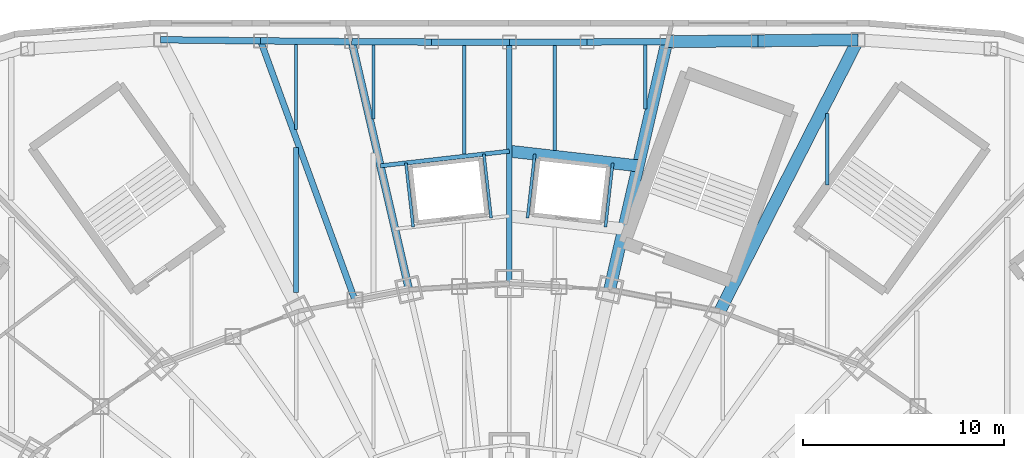
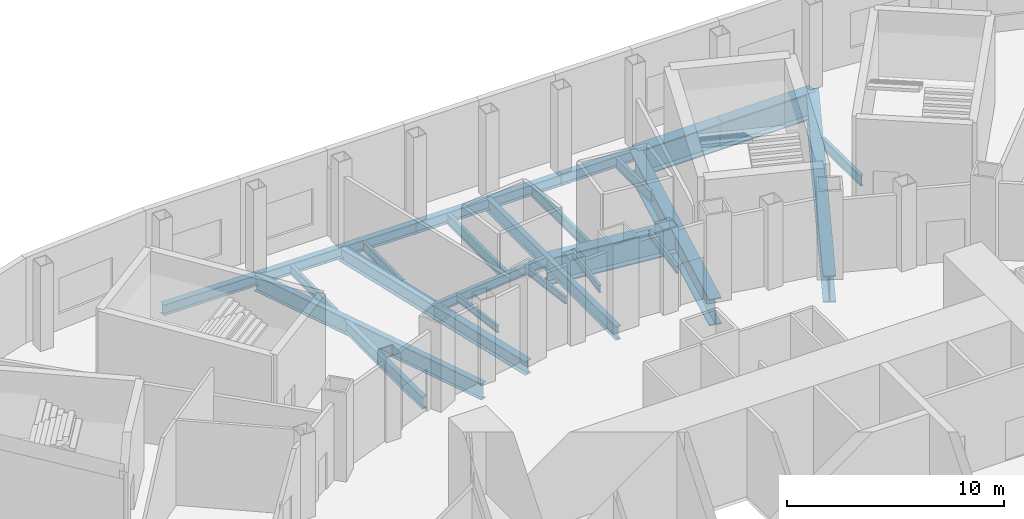
# One storey, part 8 of 73: 26 beams.
"""IFC4 building model written with IfcOpenShell, lengths in metres."""

import ifcopenshell
import ifcopenshell.guid

model = None  # the IFC model being written
_history = None  # IfcOwnerHistory: only IFC2X3 demands one
_inside = {}  # id of a spatial element -> (the spatial element, [elements in it])
_under = {}  # id of a project, library or spatial element -> (it, [spatial elements below it])
_declared = {}  # id of a project -> (the project, [libraries it declares])
_typed = {}  # id of a type object -> (the type object, [elements of that type])
_made_of = {}  # id of a material, layer set ... -> (it, [elements and type objects made of it])


def new_model(schema):
    """Start an empty IFC model of exactly this schema.

    Asked for "IFC4X3", IfcOpenShell would pick the latest addendum, in which some entities
    have other attributes; the version numbers below select the first issue.
    IFC2X3 requires an IfcOwnerHistory on every rooted entity: one is made here for all.
    """
    global model, _history
    if schema == "IFC4X3":
        model = ifcopenshell.file(schema_version=(4, 3, 0, 0))
    else:
        model = ifcopenshell.file(schema=schema)
    _inside.clear()
    _under.clear()
    _declared.clear()
    _typed.clear()
    _made_of.clear()
    _history = None
    if model.schema == "IFC2X3":
        org = make("IfcOrganization", Name="unknown")
        user = make(
            "IfcPersonAndOrganization",
            ThePerson=make("IfcPerson", FamilyName="unknown"),
            TheOrganization=org,
        )
        app = make(
            "IfcApplication",
            ApplicationDeveloper=org,
            Version="unknown",
            ApplicationFullName="unknown",
            ApplicationIdentifier="unknown",
        )
        _history = make(
            "IfcOwnerHistory",
            OwningUser=user,
            OwningApplication=app,
            ChangeAction="ADDED",
            CreationDate=0,
        )
    return model


def make(cls, **values):
    """One entity of the class cls with the attributes given. An attribute that is None is left unset."""
    return model.create_entity(
        cls, **{name: value for name, value in values.items() if value is not None}
    )


def rooted(cls, **values):
    """An entity with a GlobalId (a new one), such as an element, a storey or a relation."""
    return make(cls, GlobalId=ifcopenshell.guid.new(), OwnerHistory=_history, **values)


def si_unit(unit_type, name, prefix=None):
    """IfcSIUnit, for example si_unit("LENGTHUNIT", "METRE", prefix="MILLI")."""
    return make("IfcSIUnit", UnitType=unit_type, Prefix=prefix, Name=name)


def assignment(units):
    """IfcUnitAssignment: the units of a project."""
    return None if units is None else make("IfcUnitAssignment", Units=units)


def point(xyz):
    """IfcCartesianPoint."""
    return None if xyz is None else make("IfcCartesianPoint", Coordinates=xyz)


def direction(xyz):
    """IfcDirection."""
    return None if xyz is None else make("IfcDirection", DirectionRatios=xyz)


def frame(location, z_axis=None, x_axis=None):
    """IfcAxis2Placement3D, a coordinate frame: its origin and axes. An axis left out is left unset."""
    return make(
        "IfcAxis2Placement3D",
        Location=point(location),
        Axis=direction(z_axis),
        RefDirection=direction(x_axis),
    )


def frame_2d(location, x_axis=None):
    """IfcAxis2Placement2D, a coordinate frame in the plane: its origin and x axis."""
    return make(
        "IfcAxis2Placement2D", Location=point(location), RefDirection=direction(x_axis)
    )


def origin():
    """The frame at (0, 0, 0) with its axes left unset."""
    return frame((0.0, 0.0, 0.0))


def origin_2d():
    """The frame at (0, 0) in the plane with its x axis left unset."""
    return frame_2d((0.0, 0.0))


def place(relative_to, where):
    """IfcLocalPlacement: puts the frame where relative to a parent placement (None: the world)."""
    return make(
        "IfcLocalPlacement", PlacementRelTo=relative_to, RelativePlacement=where
    )


def context(
    kind, dimensions, precision=None, world=None, true_north=None, identifier=None
):
    """IfcGeometricRepresentationContext, for example the 3D "Model" context."""
    return make(
        "IfcGeometricRepresentationContext",
        ContextIdentifier=identifier,
        ContextType=kind,
        CoordinateSpaceDimension=dimensions,
        Precision=precision,
        WorldCoordinateSystem=world,
        TrueNorth=true_north,
    )


def subcontext(parent, identifier, kind, view, scale=None):
    """IfcGeometricRepresentationSubContext, for example "Body" below "Model"."""
    return make(
        "IfcGeometricRepresentationSubContext",
        ContextIdentifier=identifier,
        ContextType=kind,
        ParentContext=parent,
        TargetScale=scale,
        TargetView=view,
    )


def project(units=None, contexts=None):
    """IfcProject with its units and contexts."""
    return rooted(
        "IfcProject",
        Name="project",
        RepresentationContexts=contexts,
        UnitsInContext=assignment(units),
    )


def spatial(cls, under=None, at=None, **own):
    """A site, building, storey or space (cls), placed at a placement, below another one or the project."""
    s = rooted(cls, ObjectPlacement=at, **own)
    if under is not None:
        _under.setdefault(under.id(), (under, []))[1].append(s)
    return s


def profile(cls, at=None, kind="AREA", **sizes):
    """A parametric profile (cls). Its sizes go by their IFC names, for example OverallWidth=200.0."""
    return make(cls, ProfileType=kind, Position=at, **sizes)


def i_section(**sizes):
    """IfcIShapeProfileDef."""
    return profile("IfcIShapeProfileDef", **sizes)


def extrude(swept, where, along, depth):
    """IfcExtrudedAreaSolid: the profile swept, set in the frame where, extruded along a direction by depth."""
    return make(
        "IfcExtrudedAreaSolid",
        SweptArea=swept,
        Position=where,
        ExtrudedDirection=direction(along),
        Depth=depth,
    )


def shape(context_of_items, identifier, shape_type, items):
    """IfcShapeRepresentation: the items that make up one representation, for example the "Body"."""
    return make(
        "IfcShapeRepresentation",
        ContextOfItems=context_of_items,
        RepresentationIdentifier=identifier,
        RepresentationType=shape_type,
        Items=items,
    )


def material(Name=None, Category=None):
    """IfcMaterial."""
    return make("IfcMaterial", Name=Name, Category=Category)


def material_profile(
    of_material, cross_section, Name=None, Category=None, Priority=None
):
    """IfcMaterialProfile: a cross section and its material."""
    return make(
        "IfcMaterialProfile",
        Name=Name,
        Material=of_material,
        Profile=cross_section,
        Priority=Priority,
        Category=Category,
    )


def profile_set(profiles, Name=None, composite=None):
    """IfcMaterialProfileSet."""
    return make(
        "IfcMaterialProfileSet",
        Name=Name,
        MaterialProfiles=profiles,
        CompositeProfile=composite,
    )


def made_of(thing, what):
    """Note that an element or type object is made of a material, layer set ...; save() writes the relation."""
    if what is not None:
        _made_of.setdefault(what.id(), (what, []))[1].append(thing)
    return thing


def type_object(cls, material=None, **own):
    """A type object (cls), such as IfcWallType, which elements share."""
    return made_of(rooted(cls, **own), material)


def element(
    cls,
    number,
    at=None,
    inside=None,
    cuts=None,
    type_object=None,
    material=None,
    context=None,
    identifier="Body",
    shape_type=None,
    held_by="IfcProductDefinitionShape",
    body=None,
    shapes=None,
    **own,
):
    """One element of the class cls, such as IfcWall. Its Tag is "e" and its number.

    at: its placement. inside: the storey or other place that contains it. cuts: it is an
    opening in that element (IfcRelVoidsElement). A single representation is given by context,
    identifier, shape_type and body (its items); several are given by shapes. held_by: the class
    of the entity that holds the representations. save() writes the other relations.
    """
    e = rooted(cls, Tag="e%d" % number, ObjectPlacement=at, **own)
    if body is not None:
        shapes = [shape(context, identifier, shape_type, body)]
    if shapes is not None:
        e.Representation = make(held_by, Representations=shapes)
    if inside is not None:
        _inside.setdefault(inside.id(), (inside, []))[1].append(e)
    if cuts is not None:
        rooted(
            "IfcRelVoidsElement", RelatingBuildingElement=cuts, RelatedOpeningElement=e
        )
    if type_object is not None:
        _typed.setdefault(type_object.id(), (type_object, []))[1].append(e)
    return made_of(e, material)


def aggregate(whole, parts):
    """IfcRelAggregates: a whole, such as a stair, and the parts it consists of."""
    return rooted("IfcRelAggregates", RelatingObject=whole, RelatedObjects=parts)


def save(model, path):
    """Write the relations noted so far, then the file.

    IfcRelAggregates (storeys below a building ...), IfcRelContainedInSpatialStructure (elements
    in a storey), IfcRelDefinesByType, IfcRelAssociatesMaterial and IfcRelDeclares: one each for
    every whole, place, type object, material and project.
    """
    for whole, parts in _under.values():
        aggregate(whole, parts)
    for where, things in _inside.values():
        rooted(
            "IfcRelContainedInSpatialStructure",
            RelatedElements=things,
            RelatingStructure=where,
        )
    for kind, things in _typed.values():
        rooted("IfcRelDefinesByType", RelatedObjects=things, RelatingType=kind)
    for what, things in _made_of.values():
        rooted("IfcRelAssociatesMaterial", RelatedObjects=things, RelatingMaterial=what)
    for by, libraries in _declared.values():
        rooted("IfcRelDeclares", RelatingContext=by, RelatedDefinitions=libraries)
    model.write(path)


model = new_model("IFC4")

# Units and contexts
model_context = context("Model", 3, precision=1e-05, world=origin(), true_north=direction((0.0, 1.0)))
body_context = subcontext(model_context, "Body", "Model", "MODEL_VIEW")
ifc_project = project(units=[si_unit("LENGTHUNIT", "METRE"), si_unit("AREAUNIT", "SQUARE_METRE"), si_unit("VOLUMEUNIT", "CUBIC_METRE"), si_unit("PLANEANGLEUNIT", "RADIAN"), si_unit("MASSUNIT", "GRAM", prefix="KILO")], contexts=[model_context])

# Site, building, storey
site_placement = place(None, origin())
site = spatial("IfcSite", under=ifc_project, at=site_placement, CompositionType="ELEMENT")
building_placement = place(site_placement, origin())
building = spatial("IfcBuilding", under=site, at=building_placement, Name="Lantaw Convention Tower", CompositionType="ELEMENT")
storey_placement = place(building_placement, frame((0.0, 0.0, 27.0)))
storey = spatial("IfcBuildingStorey", under=building, at=storey_placement, Name="L04", CompositionType="ELEMENT", Elevation=27.0)

# Beams
ifc_material_1 = material(Name="Steel ASTM A572 Grade 50", Category="steel")
ifc_material_profile_1 = material_profile(ifc_material_1, i_section(OverallWidth=0.60009765625, OverallDepth=1.5, WebThickness=0.02490234375, FlangeThickness=0.06005859375, at=origin_2d()), Name="PG1500X600X25X60")
ifc_profile_set_1 = profile_set([ifc_material_profile_1], Name="Steel ASTM A572 Grade 50")
beam_type_1 = type_object("IfcBeamType", Name="Beam E PG1500X600X25X60", PredefinedType="SPANDREL", material=ifc_profile_set_1)
beam_1_placement = place(storey_placement, frame((17.333984375, 34.019775390625, -0.949951171875), z_axis=(-0.999942166471, -0.010754706535, 0.0), x_axis=(0.010754706535, -0.999942166471, 0.0)))
element("IfcBeam", 1, at=beam_1_placement, inside=storey, type_object=beam_type_1, Name="Podium edge beam R04", PredefinedType="SPANDREL", context=body_context, shape_type="SweptSolid", body=[
    extrude(i_section(OverallWidth=0.60009765625, OverallDepth=1.5, WebThickness=0.02490234375, FlangeThickness=0.06005859375, at=origin_2d()), origin(), (0.0, 0.0, 1.0), 4.971435546875),
])
beam_2_placement = place(storey_placement, frame((12.36279296875, 33.96630859375, -0.949951171875), z_axis=(-0.999964655563, -0.00840759331, 0.0), x_axis=(0.00840759331, -0.999964655563, 0.0)))
element("IfcBeam", 2, at=beam_2_placement, inside=storey, type_object=beam_type_1, Name="Podium edge beam B04", PredefinedType="SPANDREL", context=body_context, shape_type="SweptSolid", body=[
    extrude(i_section(OverallWidth=0.60009765625, OverallDepth=1.5, WebThickness=0.02490234375, FlangeThickness=0.06005859375, at=origin_2d()), origin(), (0.0, 0.0, 1.0), 4.530029296875),
])
ifc_material_2 = material(Name="Steel ASTM A992", Category="steel")
ifc_material_profile_2 = material_profile(ifc_material_2, i_section(OverallWidth=0.3251953125, OverallDepth=0.612060546875, WebThickness=0.0126953125, FlangeThickness=0.01904296875, FilletRadius=0.0126953125, at=origin_2d()), Name="W24X104")
ifc_profile_set_2 = profile_set([ifc_material_profile_2], Name="Steel ASTM A992")
beam_type_2 = type_object("IfcBeamType", Name="Beam E W24X104", PredefinedType="SPANDREL", material=ifc_profile_set_2)
beam_3_placement = place(storey_placement, frame((7.8330078125, 33.92822265625, -0.506103515625), z_axis=(-0.999985686096, -0.005350476918, 0.0), x_axis=(0.005350476918, -0.999985686096, 0.0)))
element("IfcBeam", 3, at=beam_3_placement, inside=storey, type_object=beam_type_2, Name="Podium edge beam R05", PredefinedType="SPANDREL", context=body_context, shape_type="SweptSolid", body=[
    extrude(i_section(OverallWidth=0.3251953125, OverallDepth=0.612060546875, WebThickness=0.0126953125, FlangeThickness=0.01904296875, FilletRadius=0.0126953125, at=origin_2d()), origin(), (0.0, 0.0, 1.0), 3.9697265625),
])
for number, where, z_axis, x_axis, name in (
    (4, (3.86328125, 33.906982421875, -0.506103515625), (-0.999998320684, -0.001832656174, 0.0), (0.001832656174, -0.999998320684, 0.0), "Podium edge beam B05"),
    (5, (0.0, 33.89990234375, -0.506103515625), (-0.999998320684, 0.001832656174, 0.0), (-0.001832656174, -0.999998320684, 0.0), "Podium edge beam R06"),
):
    element("IfcBeam", number, at=place(storey_placement, frame(where, z_axis=z_axis, x_axis=x_axis)), inside=storey, type_object=beam_type_2, Name=name, PredefinedType="SPANDREL", context=body_context, shape_type="SweptSolid", body=[
        extrude(i_section(OverallWidth=0.3251953125, OverallDepth=0.612060546875, WebThickness=0.0126953125, FlangeThickness=0.01904296875, FilletRadius=0.0126953125, at=origin_2d()), origin(), (0.0, 0.0, 1.0), 3.86328125),
    ])
beam_4_placement = place(storey_placement, frame((-3.86328125, 33.906982421875, -0.506103515625), z_axis=(-0.999985686096, 0.005350476918, 0.0), x_axis=(-0.005350476918, -0.999985686096, 0.0)))
element("IfcBeam", 6, at=beam_4_placement, inside=storey, type_object=beam_type_2, Name="Podium edge beam B06", PredefinedType="SPANDREL", context=body_context, shape_type="SweptSolid", body=[
    extrude(i_section(OverallWidth=0.3251953125, OverallDepth=0.612060546875, WebThickness=0.0126953125, FlangeThickness=0.01904296875, FilletRadius=0.0126953125, at=origin_2d()), origin(), (0.0, 0.0, 1.0), 3.9697265625),
])
beam_5_placement = place(storey_placement, frame((-7.8330078125, 33.92822265625, -0.506103515625), z_axis=(-0.999964655563, 0.00840759331, 0.0), x_axis=(-0.00840759331, -0.999964655563, 0.0)))
element("IfcBeam", 7, at=beam_5_placement, inside=storey, type_object=beam_type_2, Name="Podium edge beam R07", PredefinedType="SPANDREL", context=body_context, shape_type="SweptSolid", body=[
    extrude(i_section(OverallWidth=0.3251953125, OverallDepth=0.612060546875, WebThickness=0.0126953125, FlangeThickness=0.01904296875, FilletRadius=0.0126953125, at=origin_2d()), origin(), (0.0, 0.0, 1.0), 4.530029296875),
])
beam_6_placement = place(storey_placement, frame((-12.36279296875, 33.96630859375, -0.506103515625), z_axis=(-0.999942166471, 0.010754706535, 0.0), x_axis=(-0.010754706535, -0.999942166471, 0.0)))
element("IfcBeam", 8, at=beam_6_placement, inside=storey, type_object=beam_type_2, Name="Podium edge beam B07", PredefinedType="SPANDREL", context=body_context, shape_type="SweptSolid", body=[
    extrude(i_section(OverallWidth=0.3251953125, OverallDepth=0.612060546875, WebThickness=0.0126953125, FlangeThickness=0.01904296875, FilletRadius=0.0126953125, at=origin_2d()), origin(), (0.0, 0.0, 1.0), 4.971435546875),
])
ifc_material_profile_3 = material_profile(ifc_material_2, i_section(OverallWidth=0.1650390625, OverallDepth=0.52587890625, WebThickness=0.0087890625, FlangeThickness=0.011474609375, FilletRadius=0.0126953125, at=origin_2d()), Name="W21X44")
ifc_profile_set_3 = profile_set([ifc_material_profile_3], Name="Steel ASTM A992")
beam_type_3 = type_object("IfcBeamType", Name="Beam J W21X44", PredefinedType="JOIST", material=ifc_profile_set_3)
beam_7_placement = place(storey_placement, frame((-10.60009765625, 29.572509765625, -0.462890625), z_axis=(0.0, 1.0, 0.0), x_axis=(-1.0, 0.0, 0.0)))
element("IfcBeam", 9, at=beam_7_placement, inside=storey, type_object=beam_type_3, Name="Floor joist", PredefinedType="JOIST", context=body_context, shape_type="SweptSolid", body=[
    extrude(i_section(OverallWidth=0.1650390625, OverallDepth=0.52587890625, WebThickness=0.0087890625, FlangeThickness=0.011474609375, FilletRadius=0.0126953125, at=origin_2d()), origin(), (0.0, 0.0, 1.0), 4.21630859375),
])
beam_8_placement = place(storey_placement, frame((-6.75, 30.084228515625, -0.462890625), z_axis=(0.0, 1.0, 0.0), x_axis=(-1.0, 0.0, 0.0)))
element("IfcBeam", 10, at=beam_8_placement, inside=storey, type_object=beam_type_3, Name="Floor joist", PredefinedType="JOIST", context=body_context, shape_type="SweptSolid", body=[
    extrude(i_section(OverallWidth=0.1650390625, OverallDepth=0.52587890625, WebThickness=0.0087890625, FlangeThickness=0.011474609375, FilletRadius=0.0126953125, at=origin_2d()), origin(), (0.0, 0.0, 1.0), 3.675537109375),
])
ifc_material_profile_4 = material_profile(ifc_material_2, i_section(OverallWidth=0.177978515625, OverallDepth=0.599365234375, WebThickness=0.010009765625, FlangeThickness=0.012939453125, FilletRadius=0.012939453125, at=origin_2d()), Name="W24X55")
ifc_profile_set_4 = profile_set([ifc_material_profile_4], Name="Steel ASTM A992")
beam_type_4 = type_object("IfcBeamType", Name="Beam J W24X55", PredefinedType="JOIST", material=ifc_profile_set_4)
beam_9_placement = place(storey_placement, frame((-2.25, 28.33251953125, -0.499755859375), z_axis=(0.0, 1.0, 0.0), x_axis=(-1.0, 0.0, 0.0)))
element("IfcBeam", 11, at=beam_9_placement, inside=storey, type_object=beam_type_4, Name="Floor joist", PredefinedType="JOIST", context=body_context, shape_type="SweptSolid", body=[
    extrude(i_section(OverallWidth=0.177978515625, OverallDepth=0.599365234375, WebThickness=0.010009765625, FlangeThickness=0.012939453125, FilletRadius=0.012939453125, at=origin_2d()), origin(), (0.0, 0.0, 1.0), 5.408935546875),
])
beam_10_placement = place(storey_placement, frame((2.25, 28.528564453125, -0.499755859375), z_axis=(0.0, 1.0, 0.0), x_axis=(-1.0, 0.0, 0.0)))
element("IfcBeam", 12, at=beam_10_placement, inside=storey, type_object=beam_type_4, Name="Floor joist", PredefinedType="JOIST", context=body_context, shape_type="SweptSolid", body=[
    extrude(i_section(OverallWidth=0.177978515625, OverallDepth=0.599365234375, WebThickness=0.010009765625, FlangeThickness=0.012939453125, FilletRadius=0.012939453125, at=origin_2d()), origin(), (0.0, 0.0, 1.0), 5.212890625),
])
beam_11_placement = place(storey_placement, frame((6.75, 30.571044921875, -0.499755859375), z_axis=(0.0, 1.0, 0.0), x_axis=(-1.0, 0.0, 0.0)))
element("IfcBeam", 13, at=beam_11_placement, inside=storey, type_object=beam_type_4, Name="Floor joist", PredefinedType="JOIST", context=body_context, shape_type="SweptSolid", body=[
    extrude(i_section(OverallWidth=0.177978515625, OverallDepth=0.599365234375, WebThickness=0.010009765625, FlangeThickness=0.012939453125, FilletRadius=0.012939453125, at=origin_2d()), origin(), (0.0, 0.0, 1.0), 3.188720703125),
])
beam_12_placement = place(storey_placement, frame((15.800048828125, 26.80029296875, -0.499755859375), z_axis=(0.0, 1.0, 0.0), x_axis=(-1.0, 0.0, 0.0)))
element("IfcBeam", 14, at=beam_12_placement, inside=storey, type_object=beam_type_4, Name="Floor joist", PredefinedType="JOIST", context=body_context, shape_type="SweptSolid", body=[
    extrude(i_section(OverallWidth=0.177978515625, OverallDepth=0.599365234375, WebThickness=0.010009765625, FlangeThickness=0.012939453125, FilletRadius=0.012939453125, at=origin_2d()), origin(), (0.0, 0.0, 1.0), 3.548095703125),
])
ifc_material_profile_5 = material_profile(ifc_material_2, i_section(OverallWidth=0.25390625, OverallDepth=0.683349609375, WebThickness=0.012451171875, FlangeThickness=0.01904296875, FilletRadius=0.01513671875, at=origin_2d()), Name="W27X94")
ifc_profile_set_5 = profile_set([ifc_material_profile_5], Name="Steel ASTM A992")
beam_type_5 = type_object("IfcBeamType", Name="Beam J W27X94", PredefinedType="JOIST", material=ifc_profile_set_5)
beam_13_placement = place(storey_placement, frame((-10.60009765625, 21.464599609375, -0.541748046875), z_axis=(0.0, 1.0, 0.0), x_axis=(-1.0, 0.0, 0.0)))
element("IfcBeam", 15, at=beam_13_placement, inside=storey, type_object=beam_type_5, Name="Floor joist", PredefinedType="JOIST", context=body_context, shape_type="SweptSolid", body=[
    extrude(i_section(OverallWidth=0.25390625, OverallDepth=0.683349609375, WebThickness=0.012451171875, FlangeThickness=0.01904296875, FilletRadius=0.01513671875, at=origin_2d()), origin(), (0.0, 0.0, 1.0), 7.20947265625),
])
ifc_material_profile_6 = material_profile(ifc_material_1, i_section(OverallWidth=0.60009765625, OverallDepth=1.5, WebThickness=0.02490234375, FlangeThickness=0.06005859375, at=origin_2d()), Name="PG1500X600X25X60")
ifc_profile_set_6 = profile_set([ifc_material_profile_6], Name="Steel ASTM A572 Grade 50")
beam_type_6 = type_object("IfcBeamType", Name="Beam PG PG1500X600X25X60", PredefinedType="BEAM", material=ifc_profile_set_6)
beam_14_placement = place(storey_placement, frame((10.462646484375, 20.533935546875, -0.949951171875), z_axis=(0.453988364005, 0.891007612396, 0.0), x_axis=(-0.891007612396, 0.453988364005, 0.0)))
element("IfcBeam", 16, at=beam_14_placement, inside=storey, type_object=beam_type_6, Name="Podium girder PR05", PredefinedType="BEAM", context=body_context, shape_type="SweptSolid", body=[
    extrude(i_section(OverallWidth=0.60009765625, OverallDepth=1.5, WebThickness=0.02490234375, FlangeThickness=0.06005859375, at=origin_2d()), origin(), (0.0, 0.0, 1.0), 15.135498046875),
])
beam_15_placement = place(storey_placement, frame((4.986328125, 21.59814453125, -0.949951171875), z_axis=(0.224955319834, 0.974369080009, 0.0), x_axis=(-0.974369080009, 0.224955319834, 0.0)))
element("IfcBeam", 17, at=beam_15_placement, inside=storey, type_object=beam_type_6, Name="Podium girder PR06", PredefinedType="BEAM", context=body_context, shape_type="SweptSolid", body=[
    extrude(i_section(OverallWidth=0.60009765625, OverallDepth=1.5, WebThickness=0.02490234375, FlangeThickness=0.06005859375, at=origin_2d()), origin(), (0.0, 0.0, 1.0), 12.654541015625),
])
ifc_material_profile_7 = material_profile(ifc_material_2, i_section(OverallWidth=0.2666015625, OverallDepth=0.76953125, WebThickness=0.015625, FlangeThickness=0.025390625, FilletRadius=0.0126953125, at=origin_2d()), Name="W30X132")
ifc_profile_set_7 = profile_set([ifc_material_profile_7], Name="Steel ASTM A992")
beam_type_7 = type_object("IfcBeamType", Name="Beam PG W30X132", PredefinedType="BEAM", material=ifc_profile_set_7)
beam_16_placement = place(storey_placement, frame((0.0, 21.89990234375, -0.584716796875), z_axis=(0.0, 1.0, 0.0), x_axis=(-1.0, 0.0, 0.0)))
element("IfcBeam", 18, at=beam_16_placement, inside=storey, type_object=beam_type_7, Name="Podium girder PR07", PredefinedType="BEAM", context=body_context, shape_type="SweptSolid", body=[
    extrude(i_section(OverallWidth=0.2666015625, OverallDepth=0.76953125, WebThickness=0.015625, FlangeThickness=0.025390625, FilletRadius=0.0126953125, at=origin_2d()), origin(), (0.0, 0.0, 1.0), 12.0),
])
ifc_material_profile_8 = material_profile(ifc_material_2, i_section(OverallWidth=0.381103515625, OverallDepth=0.772216796875, WebThickness=0.0166015625, FlangeThickness=0.027099609375, FilletRadius=0.0146484375, at=origin_2d()), Name="W30X173")
ifc_profile_set_8 = profile_set([ifc_material_profile_8], Name="Steel ASTM A992")
beam_type_8 = type_object("IfcBeamType", Name="Beam PG W30X173", PredefinedType="BEAM", material=ifc_profile_set_8)
beam_17_placement = place(storey_placement, frame((-4.986328125, 21.59814453125, -0.586181640625), z_axis=(-0.224955319834, 0.974369080009, 0.0), x_axis=(-0.974369080009, -0.224955319834, 0.0)))
element("IfcBeam", 19, at=beam_17_placement, inside=storey, type_object=beam_type_8, Name="Podium girder PR08", PredefinedType="BEAM", context=body_context, shape_type="SweptSolid", body=[
    extrude(i_section(OverallWidth=0.381103515625, OverallDepth=0.772216796875, WebThickness=0.0166015625, FlangeThickness=0.027099609375, FilletRadius=0.0146484375, at=origin_2d()), origin(), (0.0, 0.0, 1.0), 12.654541015625),
])
ifc_material_profile_9 = material_profile(ifc_material_2, i_section(OverallWidth=0.307373046875, OverallDepth=0.922119140625, WebThickness=0.018310546875, FlangeThickness=0.030029296875, FilletRadius=0.0126953125, at=origin_2d()), Name="W36X182")
ifc_profile_set_9 = profile_set([ifc_material_profile_9], Name="Steel ASTM A992")
beam_type_9 = type_object("IfcBeamType", Name="Beam PG W36X182", PredefinedType="BEAM", material=ifc_profile_set_9)
beam_18_placement = place(storey_placement, frame((-7.671142578125, 21.076416015625, -0.660888671875), z_axis=(-0.342027428416, 0.939689969198, 0.0), x_axis=(-0.939689969198, -0.342027428416, 0.0)))
element("IfcBeam", 20, at=beam_18_placement, inside=storey, type_object=beam_type_9, Name="Podium girder PB08", PredefinedType="BEAM", context=body_context, shape_type="SweptSolid", body=[
    extrude(i_section(OverallWidth=0.307373046875, OverallDepth=0.922119140625, WebThickness=0.018310546875, FlangeThickness=0.030029296875, FilletRadius=0.0126953125, at=origin_2d()), origin(), (0.0, 0.0, 1.0), 13.71728515625),
])
ifc_material_profile_10 = material_profile(ifc_material_1, i_section(OverallWidth=0.60009765625, OverallDepth=1.5, WebThickness=0.02490234375, FlangeThickness=0.06005859375, at=origin_2d()), Name="PG1500X600X25X60")
ifc_profile_set_10 = profile_set([ifc_material_profile_10], Name="Steel ASTM A572 Grade 50")
beam_type_10 = type_object("IfcBeamType", Name="Beam TR PG1500X600X25X60", PredefinedType="BEAM", material=ifc_profile_set_10)
beam_19_placement = place(storey_placement, frame((0.0, 28.483154296875, -0.949951171875), z_axis=(0.993572392644, -0.113198500762, 0.0), x_axis=(0.113198500762, 0.993572392644, 0.0)))
element("IfcBeam", 21, at=beam_19_placement, inside=storey, type_object=beam_type_10, Name="Opening trimmer beam", PredefinedType="BEAM", context=body_context, shape_type="SweptSolid", body=[
    extrude(i_section(OverallWidth=0.60009765625, OverallDepth=1.5, WebThickness=0.02490234375, FlangeThickness=0.06005859375, at=origin_2d()), origin(), (0.0, 0.0, 1.0), 6.44873046875),
])
ifc_material_profile_11 = material_profile(ifc_material_2, i_section(OverallWidth=0.140380859375, OverallDepth=0.40380859375, WebThickness=0.007080078125, FlangeThickness=0.01123046875, FilletRadius=0.01025390625, at=origin_2d()), Name="W16X31")
ifc_profile_set_11 = profile_set([ifc_material_profile_11], Name="Steel ASTM A992")
beam_type_11 = type_object("IfcBeamType", Name="Beam TR W16X31", PredefinedType="BEAM", material=ifc_profile_set_11)
beam_20_placement = place(storey_placement, frame((0.904052734375, 25.159423828125, -0.40185546875), z_axis=(0.113144208648, 0.993578576686, 0.0), x_axis=(-0.993578576686, 0.113144208648, 0.0)))
element("IfcBeam", 22, at=beam_20_placement, inside=storey, type_object=beam_type_11, Name="Opening header beam", PredefinedType="BEAM", context=body_context, shape_type="SweptSolid", body=[
    extrude(i_section(OverallWidth=0.140380859375, OverallDepth=0.40380859375, WebThickness=0.007080078125, FlangeThickness=0.01123046875, FilletRadius=0.01025390625, at=origin_2d()), origin(), (0.0, 0.0, 1.0), 3.199951171875),
])
for number, where, z_axis, x_axis, name in (
    (23, (5.14111328125, 27.897216796875, -0.40185546875), (-0.11322810814, -0.993569019005, 0.0), (0.993569019005, -0.11322810814, 0.0), "Opening header beam"),
    (24, (-4.77880859375, 24.718017578125, -0.40185546875), (-0.11322810814, 0.993569019005, 0.0), (-0.993569019005, -0.11322810814, 0.0), "Opening header beam"),
):
    element("IfcBeam", number, at=place(storey_placement, frame(where, z_axis=z_axis, x_axis=x_axis)), inside=storey, type_object=beam_type_11, Name=name, PredefinedType="BEAM", context=body_context, shape_type="SweptSolid", body=[
        extrude(i_section(OverallWidth=0.140380859375, OverallDepth=0.40380859375, WebThickness=0.007080078125, FlangeThickness=0.01123046875, FilletRadius=0.01025390625, at=origin_2d()), origin(), (0.0, 0.0, 1.0), 3.19970703125),
    ])
beam_21_placement = place(storey_placement, frame((-1.26611328125, 28.3388671875, -0.40185546875), z_axis=(0.113144208648, -0.993578576686, 0.0), x_axis=(0.993578576686, 0.113144208648, 0.0)))
element("IfcBeam", 25, at=beam_21_placement, inside=storey, type_object=beam_type_11, Name="Opening header beam", PredefinedType="BEAM", context=body_context, shape_type="SweptSolid", body=[
    extrude(i_section(OverallWidth=0.140380859375, OverallDepth=0.40380859375, WebThickness=0.007080078125, FlangeThickness=0.01123046875, FilletRadius=0.01025390625, at=origin_2d()), origin(), (0.0, 0.0, 1.0), 3.199951171875),
])
ifc_material_profile_12 = material_profile(ifc_material_2, i_section(OverallWidth=0.2099609375, OverallDepth=0.535888671875, WebThickness=0.010986328125, FlangeThickness=0.017333984375, FilletRadius=0.012939453125, at=origin_2d()), Name="W21X68")
ifc_profile_set_12 = profile_set([ifc_material_profile_12], Name="Steel ASTM A992")
beam_type_12 = type_object("IfcBeamType", Name="Beam TR W21X68", PredefinedType="BEAM", material=ifc_profile_set_12)
beam_22_placement = place(storey_placement, frame((-6.4072265625, 27.753173828125, -0.468017578125), z_axis=(0.993572392644, 0.113198500762, 0.0), x_axis=(-0.113198500762, 0.993572392644, 0.0)))
element("IfcBeam", 26, at=beam_22_placement, inside=storey, type_object=beam_type_12, Name="Opening trimmer beam", PredefinedType="BEAM", context=body_context, shape_type="SweptSolid", body=[
    extrude(i_section(OverallWidth=0.2099609375, OverallDepth=0.535888671875, WebThickness=0.010986328125, FlangeThickness=0.017333984375, FilletRadius=0.012939453125, at=origin_2d()), origin(), (0.0, 0.0, 1.0), 6.44873046875),
])

save(model, "model.ifc")
